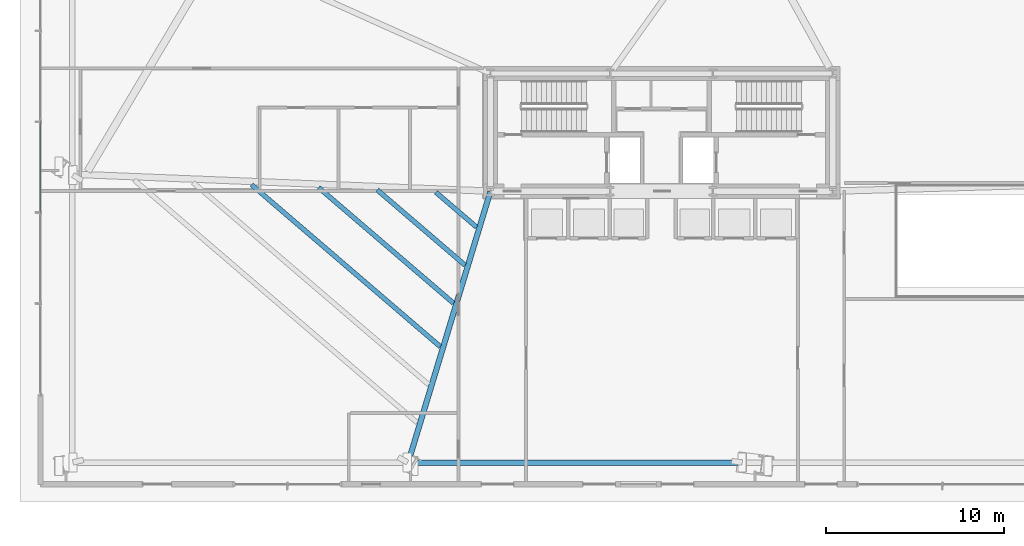
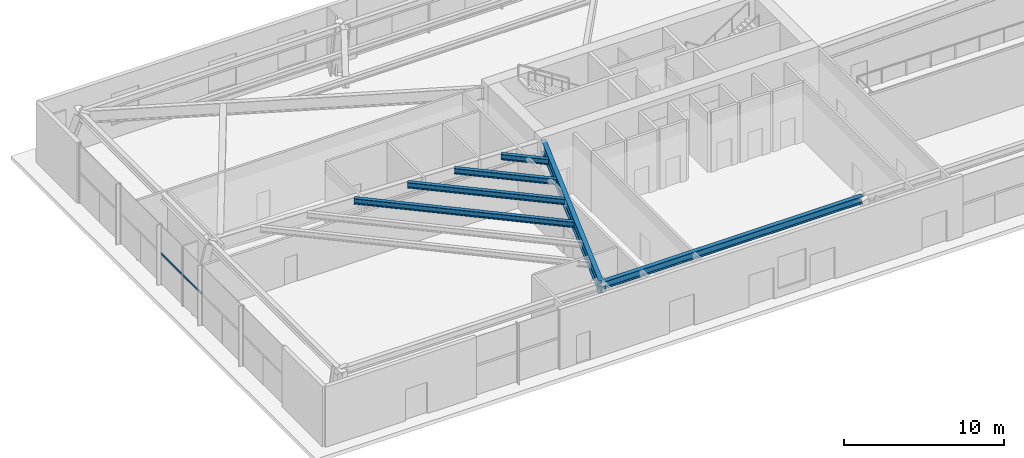
# One storey, part 7 of 31: 6 beams, 1 member, 1 element without a shape of its own.
"""IFC4 building model written with IfcOpenShell, lengths in metres."""

from ifc_helpers import new_model, si_unit, direction, frame, origin, origin_2d, place, context, subcontext, project, spatial, hollow_rectangle, i_section, extrude, source, transform, mapped, material, material_profile, profile_set, type_object, type_shapes, element, aggregate, save


model = new_model("IFC4")

# Units and contexts
model_context = context("Model", 3, precision=1e-05, world=origin(), true_north=direction((0.0, 1.0)))
body_context = subcontext(model_context, "Body", "Model", "MODEL_VIEW")
ifc_project = project(units=[si_unit("LENGTHUNIT", "METRE"), si_unit("AREAUNIT", "SQUARE_METRE"), si_unit("VOLUMEUNIT", "CUBIC_METRE"), si_unit("PLANEANGLEUNIT", "RADIAN"), si_unit("MASSUNIT", "GRAM", prefix="KILO")], contexts=[model_context])

# Site, building, storey
site_placement = place(None, origin())
site = spatial("IfcSite", under=ifc_project, at=site_placement, CompositionType="ELEMENT")
building_placement = place(site_placement, origin())
building = spatial("IfcBuilding", under=site, at=building_placement, Name="Astriad Promenade Condominiums", CompositionType="ELEMENT")
storey_placement = place(building_placement, origin())
storey = spatial("IfcBuildingStorey", under=building, at=storey_placement, Name="L00", CompositionType="ELEMENT", Elevation=0.0)

# Beams
ifc_material_1 = material(Name="Steel ASTM A992 Grade 50", Category="steel")
ifc_material_profile_1 = material_profile(ifc_material_1, i_section(OverallWidth=0.3134765625, OverallDepth=0.54638671875, WebThickness=0.013916015625, FlangeThickness=0.022216796875, FilletRadius=0.0166015625, at=origin_2d()), Name="W21X111")
ifc_profile_set_1 = profile_set([ifc_material_profile_1], Name="Steel ASTM A992 Grade 50")
beam_type_1 = type_object("IfcBeamType", Name="STEEL SPANDREL BEAM W21X111", PredefinedType="SPANDREL", material=ifc_profile_set_1)
shared_shape_1 = source(origin(), body_context, "Body", "SweptSolid", [
    extrude(i_section(OverallWidth=0.3134765625, OverallDepth=0.54638671875, WebThickness=0.013916015625, FlangeThickness=0.022216796875, FilletRadius=0.0166015625, at=origin_2d()), origin(), (0.0, 0.0, 1.0), 18.748779296875),
])
type_shapes(beam_type_1, [shared_shape_1])
beam_1_placement = place(storey_placement, frame((21.80078125, 2.16796875, 4.306884765625), z_axis=(0.999999999915, 1.3021681e-05, 0.0), x_axis=(-1.3021681e-05, 0.999999999915, 0.0)))
element("IfcBeam", 1, at=beam_1_placement, inside=storey, type_object=beam_type_1, Name="Perimeter Spandrel Beam SP-S2-L00", PredefinedType="SPANDREL", context=body_context, shape_type="MappedRepresentation", body=[
    mapped(shared_shape_1, transform((0.0, 0.0, 0.0), scale=1.0)),
])
ifc_material_profile_2 = material_profile(ifc_material_1, i_section(OverallWidth=0.307861328125, OverallDepth=0.9267578125, WebThickness=0.019287109375, FlangeThickness=0.031982421875, FilletRadius=0.024169921875, at=origin_2d()), Name="W36X194")
ifc_profile_set_2 = profile_set([ifc_material_profile_2], Name="Steel ASTM A992 Grade 50")
beam_type_2 = type_object("IfcBeamType", Name="STEEL PRIMARY GIRDER W36X194", PredefinedType="BEAM", material=ifc_profile_set_2)
shared_shape_2 = source(origin(), body_context, "Body", "SweptSolid", [
    extrude(i_section(OverallWidth=0.307861328125, OverallDepth=0.9267578125, WebThickness=0.019287109375, FlangeThickness=0.031982421875, FilletRadius=0.024169921875, at=origin_2d()), origin(), (0.0, 0.0, 1.0), 15.8466796875),
])
type_shapes(beam_type_2, [shared_shape_2])
beam_2_placement = place(storey_placement, frame((21.787109375, 2.197998046875, 4.11669921875), z_axis=(0.290366985908, 0.95691536381, 0.0), x_axis=(-0.95691536381, 0.290366985908, 0.0)))
element("IfcBeam", 2, at=beam_2_placement, inside=storey, type_object=beam_type_2, Name="Primary Floor Girder PG-W2-L00", PredefinedType="BEAM", context=body_context, shape_type="MappedRepresentation", body=[
    mapped(shared_shape_2, transform((0.0, 0.0, 0.0), scale=1.0)),
])
ifc_material_profile_3 = material_profile(ifc_material_1, i_section(OverallWidth=0.26318359375, OverallDepth=0.425537109375, WebThickness=0.01318359375, FlangeThickness=0.022216796875, FilletRadius=0.013916015625, at=origin_2d()), Name="W16X89")
ifc_profile_set_3 = profile_set([ifc_material_profile_3], Name="Steel ASTM A992 Grade 50")
beam_type_3 = type_object("IfcBeamType", Name="STEEL FLOOR JOIST W16X89", PredefinedType="JOIST", material=ifc_profile_set_3)
shared_shape_3 = source(origin(), body_context, "Body", "SweptSolid", [
    extrude(i_section(OverallWidth=0.26318359375, OverallDepth=0.425537109375, WebThickness=0.01318359375, FlangeThickness=0.022216796875, FilletRadius=0.013916015625, at=origin_2d()), origin(), (0.0, 0.0, 1.0), 13.9501953125),
])
beam_3_placement = place(storey_placement, frame((12.993408203125, 17.75830078125, 4.3671875), z_axis=(0.759065089431, -0.651014738702, 0.0), x_axis=(0.651014738702, 0.759065089431, 0.0)))
element("IfcBeam", 3, at=beam_3_placement, inside=storey, type_object=beam_type_3, Name="Secondary Composite Floor Joist JW1-3-L00", PredefinedType="JOIST", context=body_context, shape_type="MappedRepresentation", body=[
    mapped(shared_shape_3, transform((0.0, 0.0, 0.0), scale=1.0)),
])
shared_shape_4 = source(origin(), body_context, "Body", "SweptSolid", [
    extrude(i_section(OverallWidth=0.26318359375, OverallDepth=0.425537109375, WebThickness=0.01318359375, FlangeThickness=0.022216796875, FilletRadius=0.013916015625, at=origin_2d()), origin(), (0.0, 0.0, 1.0), 9.969482421875),
])
beam_4_placement = place(storey_placement, frame((16.7548828125, 17.605224609375, 4.3671875), z_axis=(0.759073339873, -0.651005118792, 0.0), x_axis=(0.651005118792, 0.759073339873, 0.0)))
element("IfcBeam", 4, at=beam_4_placement, inside=storey, type_object=beam_type_3, Name="Secondary Composite Floor Joist JW1-4-L00", PredefinedType="JOIST", context=body_context, shape_type="MappedRepresentation", body=[
    mapped(shared_shape_4, transform((0.0, 0.0, 0.0), scale=1.0)),
])
shared_shape_5 = source(origin(), body_context, "Body", "SweptSolid", [
    extrude(i_section(OverallWidth=0.26318359375, OverallDepth=0.425537109375, WebThickness=0.01318359375, FlangeThickness=0.022216796875, FilletRadius=0.013916015625, at=origin_2d()), origin(), (0.0, 0.0, 1.0), 6.486572265625),
])
beam_5_placement = place(storey_placement, frame((20.046142578125, 17.471435546875, 4.3671875), z_axis=(0.759086540498, -0.65098972652, 0.0), x_axis=(0.65098972652, 0.759086540498, 0.0)))
element("IfcBeam", 5, at=beam_5_placement, inside=storey, type_object=beam_type_3, Name="Secondary Composite Floor Joist JW1-5-L00", PredefinedType="JOIST", context=body_context, shape_type="MappedRepresentation", body=[
    mapped(shared_shape_5, transform((0.0, 0.0, 0.0), scale=1.0)),
])
shared_shape_6 = source(origin(), body_context, "Body", "SweptSolid", [
    extrude(i_section(OverallWidth=0.26318359375, OverallDepth=0.425537109375, WebThickness=0.01318359375, FlangeThickness=0.022216796875, FilletRadius=0.013916015625, at=origin_2d()), origin(), (0.0, 0.0, 1.0), 3.003662109375),
])
type_shapes(beam_type_3, [shared_shape_3, shared_shape_4, shared_shape_5, shared_shape_6])
beam_6_placement = place(storey_placement, frame((23.33740234375, 17.337646484375, 4.3671875), z_axis=(0.759090189043, -0.650985472111, 0.0), x_axis=(0.650985472111, 0.759090189043, 0.0)))
element("IfcBeam", 6, at=beam_6_placement, inside=storey, type_object=beam_type_3, Name="Secondary Composite Floor Joist JW1-6-L00", PredefinedType="JOIST", context=body_context, shape_type="MappedRepresentation", body=[
    mapped(shared_shape_6, transform((0.0, 0.0, 0.0), scale=1.0)),
])

# Curtain wall, member
ifc_material_2 = material(Name="Anodised aluminium Black Dark Glass Unitised", Category="aluminium")
curtain_wall_type = type_object("IfcCurtainWallType", Name="CW-POD-DARK", PredefinedType="USERDEFINED", material=ifc_material_2)
curtain_wall_placement = place(storey_placement, origin())
curtain_wall = element("IfcCurtainWall", 7, at=curtain_wall_placement, inside=storey, type_object=curtain_wall_type, Name="CW-L00-W", ObjectType="UNITISED_CURTAIN_WALL", PredefinedType="USERDEFINED")
ifc_material_3 = material(Name="Anodised aluminium 6063-T6 Black", Category="aluminium")
ifc_material_profile_4 = material_profile(ifc_material_3, hollow_rectangle(XDim=0.074951171875, YDim=0.14990234375, WallThickness=0.004150390625, at=origin_2d()), Name="ALU-TRN-75X150")
ifc_profile_set_4 = profile_set([ifc_material_profile_4], Name="Anodised aluminium 6063-T6 Black")
member_type = type_object("IfcMemberType", Name="TRN-ALU-TRN-75X150", PredefinedType="USERDEFINED", material=ifc_profile_set_4)
shared_shape_7 = source(origin(), body_context, "Body", "SweptSolid", [
    extrude(hollow_rectangle(XDim=0.074951171875, YDim=0.14990234375, WallThickness=0.004150390625, at=origin_2d()), origin(), (0.0, 0.0, 1.0), 5.10009765625),
])
type_shapes(member_type, [shared_shape_7])
member_placement = place(storey_placement, frame((1.14990234375, 16.199951171875, 2.35009765625), z_axis=(0.0, 1.0, 0.0), x_axis=(-1.0, 0.0, 0.0)))
member = element("IfcMember", 8, at=member_placement, type_object=member_type, Name="CW-L00-W-TRN-02-0", ObjectType="TRANSOM", PredefinedType="USERDEFINED", context=body_context, shape_type="MappedRepresentation", body=[
    mapped(shared_shape_7, transform((0.0, 0.0, 0.0), scale=1.0)),
])
aggregate(curtain_wall, [member])

save(model, "model.ifc")
